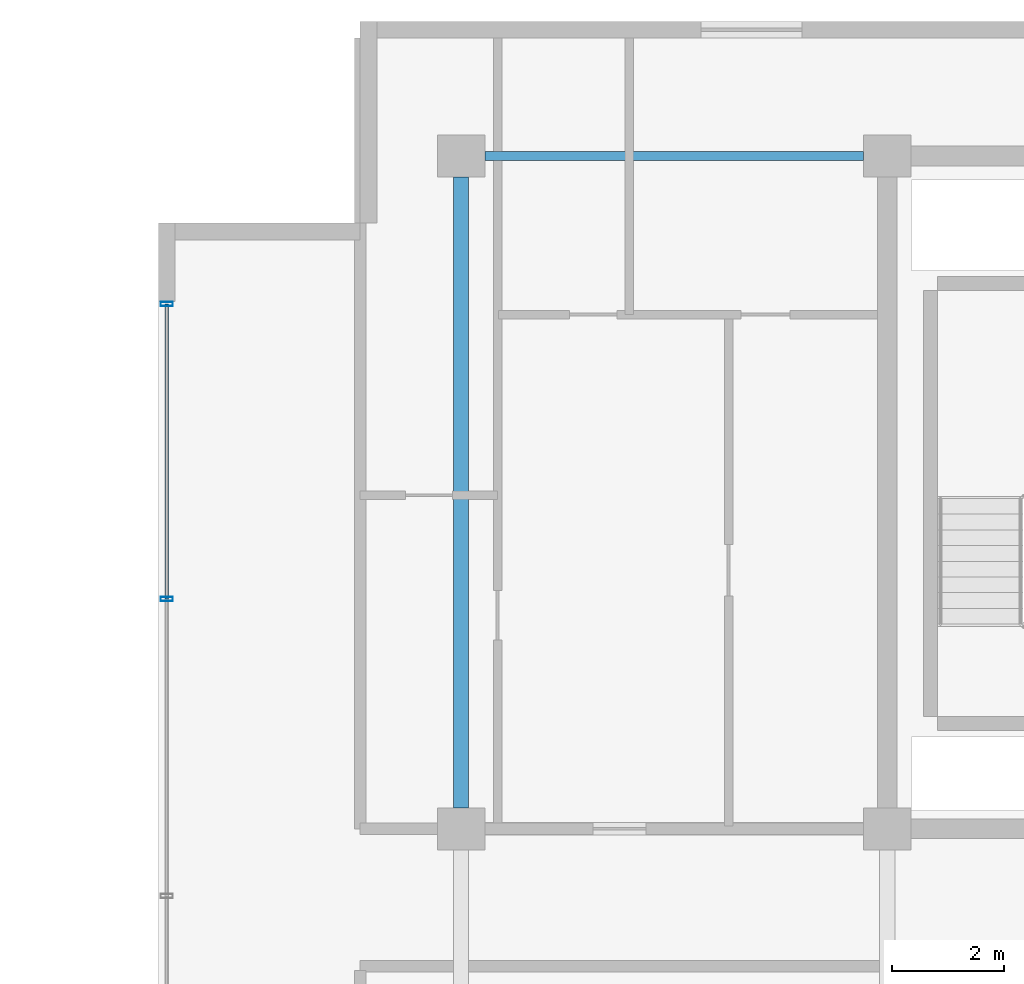
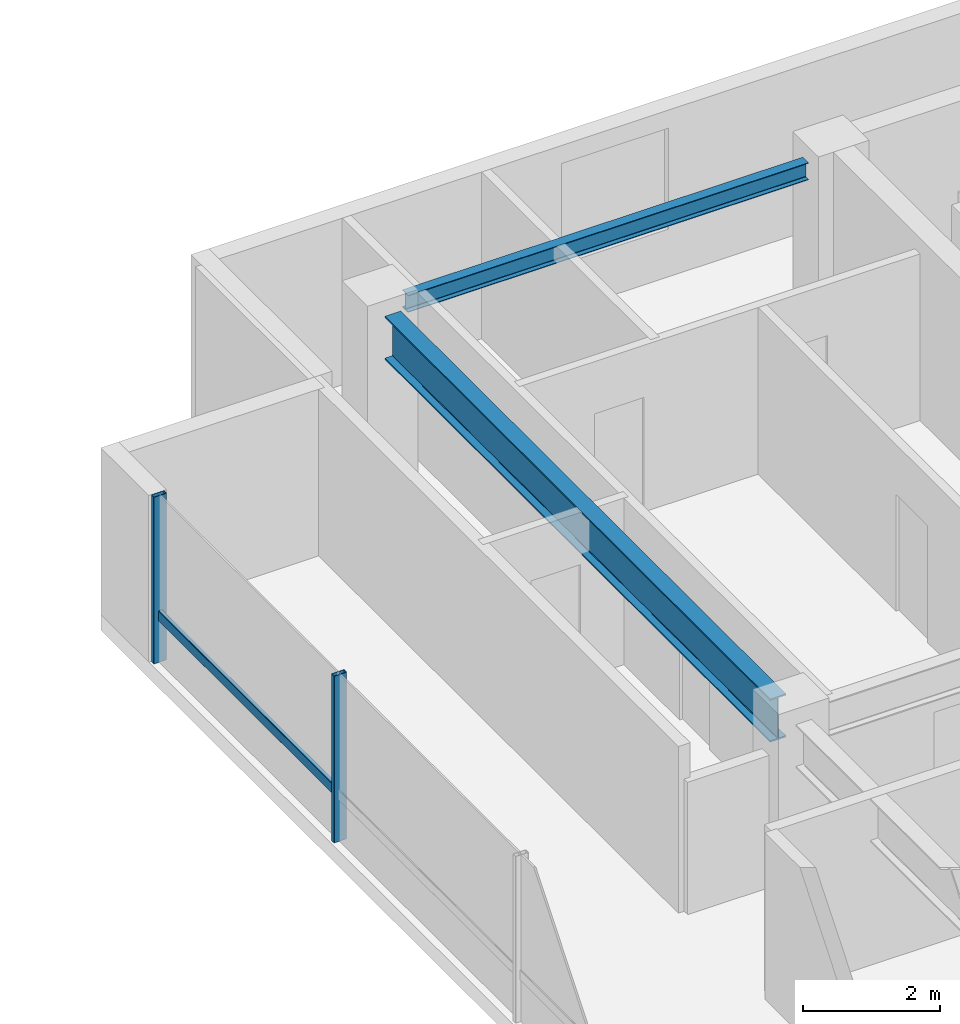
# One storey, part 5 of 38: 3 members, 2 beams, 1 element without a shape of its own.
"""IFC4 building model written with IfcOpenShell, lengths in metres."""

from ifc_helpers import new_model, si_unit, direction, frame, origin, origin_2d, place, context, subcontext, project, spatial, hollow_rectangle, i_section, extrude, material, layer, layer_set, material_profile, profile_set, type_object, element, aggregate, save


model = new_model("IFC4")

# Units and contexts
model_context = context("Model", 3, precision=1e-05, world=origin(), true_north=direction((0.0, 1.0)))
body_context = subcontext(model_context, "Body", "Model", "MODEL_VIEW")
ifc_project = project(units=[si_unit("LENGTHUNIT", "METRE"), si_unit("AREAUNIT", "SQUARE_METRE"), si_unit("VOLUMEUNIT", "CUBIC_METRE"), si_unit("PLANEANGLEUNIT", "RADIAN"), si_unit("MASSUNIT", "GRAM", prefix="KILO")], contexts=[model_context])

# Site, building, storey
site_placement = place(None, origin())
site = spatial("IfcSite", under=ifc_project, at=site_placement, CompositionType="ELEMENT")
building_placement = place(site_placement, origin())
building = spatial("IfcBuilding", under=site, at=building_placement, Name="Korimba Cascade Residences", CompositionType="ELEMENT")
storey_placement = place(building_placement, frame((0.0, 0.0, 93.800048828125)))
storey = spatial("IfcBuildingStorey", under=building, at=storey_placement, Name="L26", CompositionType="ELEMENT", Elevation=93.800048828125)

# Beams
ifc_material_1 = material(Name="Steel S355", Category="steel")
ifc_material_profile_1 = material_profile(ifc_material_1, i_section(OverallWidth=0.165771484375, OverallDepth=0.306640625, WebThickness=0.006591796875, FlangeThickness=0.01171875, FilletRadius=0.0087890625, at=origin_2d()), Name="Steel S355")
ifc_profile_set_1 = profile_set([ifc_material_profile_1], Name="Steel S355")
beam_type_1 = type_object("IfcBeamType", Name="BM-STL-UB305", PredefinedType="SPANDREL", material=ifc_profile_set_1)
beam_1_placement = place(storey_placement, frame((74.925048828125, 30.39990234375, 2.816650390625), z_axis=(1.0, 0.0, 0.0), x_axis=(0.0, 1.0, 0.0)))
element("IfcBeam", 1, at=beam_1_placement, inside=storey, type_object=beam_type_1, Name="L26 T2 E-W Girder Y4 Bay 1", PredefinedType="SPANDREL", context=body_context, shape_type="SweptSolid", body=[
    extrude(i_section(OverallWidth=0.165771484375, OverallDepth=0.306640625, WebThickness=0.006591796875, FlangeThickness=0.01171875, FilletRadius=0.0087890625, at=origin_2d()), origin(), (0.0, 0.0, 1.0), 6.75),
])
ifc_material_profile_2 = material_profile(ifc_material_1, i_section(OverallWidth=0.26806640625, OverallDepth=0.769775390625, WebThickness=0.015625, FlangeThickness=0.025390625, FilletRadius=0.0166015625, at=origin_2d()), Name="Steel S355")
ifc_profile_set_2 = profile_set([ifc_material_profile_2], Name="Steel S355")
beam_type_2 = type_object("IfcBeamType", Name="BM-STL-UB762", PredefinedType="BEAM", material=ifc_profile_set_2)
beam_2_placement = place(storey_placement, frame((74.5, 18.77490234375, 2.5849609375), z_axis=(0.0, 1.0, 0.0), x_axis=(-1.0, 0.0, 0.0)))
element("IfcBeam", 2, at=beam_2_placement, inside=storey, type_object=beam_type_2, Name="L26 T2 N-S Girder X1 Seg 3", PredefinedType="BEAM", context=body_context, shape_type="SweptSolid", body=[
    extrude(i_section(OverallWidth=0.26806640625, OverallDepth=0.769775390625, WebThickness=0.015625, FlangeThickness=0.025390625, FilletRadius=0.0166015625, at=origin_2d()), origin(), (0.0, 0.0, 1.0), 11.25),
])

# Curtain wall, members
ifc_material_2 = material(Name="Anodised Aluminium Curtain Wall Framing", Category="aluminium")
ifc_layer = layer(ifc_material_2, 0.179931640625)
ifc_layer_set = layer_set([ifc_layer], Name="Anodised Aluminium Curtain Wall Framing")
curtain_wall_type = type_object("IfcCurtainWallType", Name="CW-SKY-SYS2", PredefinedType="NOTDEFINED", material=ifc_layer_set)
curtain_wall_placement = place(storey_placement, origin())
curtain_wall = element("IfcCurtainWall", 3, at=curtain_wall_placement, inside=storey, type_object=curtain_wall_type, Name="L26 Curtain Wall CW-L26-T2-E9", PredefinedType="NOTDEFINED")
ifc_material_3 = material(Name="Anodised Aluminium Mullion", Category="aluminium")
ifc_material_profile_3 = material_profile(ifc_material_3, hollow_rectangle(XDim=0.080078125, YDim=0.219970703125, WallThickness=0.00634765625, InnerFilletRadius=0.00634765625, OuterFilletRadius=0.0126953125, at=origin_2d()), Name="Anodised Aluminium Mullion")
ifc_profile_set_3 = profile_set([ifc_material_profile_3], Name="Anodised Aluminium Mullion")
member_type_1 = type_object("IfcMemberType", Name="CWM-MUL-220", PredefinedType="MULLION", material=ifc_profile_set_3)
member_1_placement = place(storey_placement, frame((69.25, 27.760009765625, 0.0), z_axis=(0.0, 0.0, 1.0), x_axis=(0.0, -1.0, 0.0)))
member_1 = element("IfcMember", 4, at=member_1_placement, type_object=member_type_1, Name="CW-L26-T2-E9 Mullion 1", PredefinedType="MULLION", context=body_context, shape_type="SweptSolid", body=[
    extrude(hollow_rectangle(XDim=0.080078125, YDim=0.219970703125, WallThickness=0.00634765625, InnerFilletRadius=0.00634765625, OuterFilletRadius=0.0126953125, at=origin_2d()), origin(), (0.0, 0.0, 1.0), 2.969970703125),
])
member_2_placement = place(storey_placement, frame((69.25, 22.5, 0.0), z_axis=(0.0, 0.0, 1.0), x_axis=(0.0, -1.0, 0.0)))
member_2 = element("IfcMember", 5, at=member_2_placement, type_object=member_type_1, Name="CW-L26-T2-E9 Mullion 2", PredefinedType="MULLION", context=body_context, shape_type="SweptSolid", body=[
    extrude(hollow_rectangle(XDim=0.080078125, YDim=0.219970703125, WallThickness=0.00634765625, InnerFilletRadius=0.00634765625, OuterFilletRadius=0.0126953125, at=origin_2d()), origin(), (0.0, 0.0, 1.0), 2.969970703125),
])
ifc_material_4 = material(Name="Anodised Aluminium Transom", Category="aluminium")
ifc_material_profile_4 = material_profile(ifc_material_4, hollow_rectangle(XDim=0.070068359375, YDim=0.179931640625, WallThickness=0.0048828125, InnerFilletRadius=0.0048828125, OuterFilletRadius=0.010009765625, at=origin_2d()), Name="Anodised Aluminium Transom")
ifc_profile_set_4 = profile_set([ifc_material_profile_4], Name="Anodised Aluminium Transom")
member_type_2 = type_object("IfcMemberType", Name="CWM-TRN-150", PredefinedType="USERDEFINED", material=ifc_profile_set_4)
member_3_placement = place(storey_placement, frame((69.25, 27.760009765625, 0.83154296875), z_axis=(0.0, -1.0, 0.0), x_axis=(1.0, 0.0, 0.0)))
member_3 = element("IfcMember", 6, at=member_3_placement, type_object=member_type_2, Name="CW-L26-T2-E9 Transom 1", ObjectType="TRANSOM", PredefinedType="USERDEFINED", context=body_context, shape_type="SweptSolid", body=[
    extrude(hollow_rectangle(XDim=0.070068359375, YDim=0.179931640625, WallThickness=0.0048828125, InnerFilletRadius=0.0048828125, OuterFilletRadius=0.010009765625, at=origin_2d()), origin(), (0.0, 0.0, 1.0), 5.260009765625),
])
aggregate(curtain_wall, [member_1, member_2, member_3])

save(model, "model.ifc")
